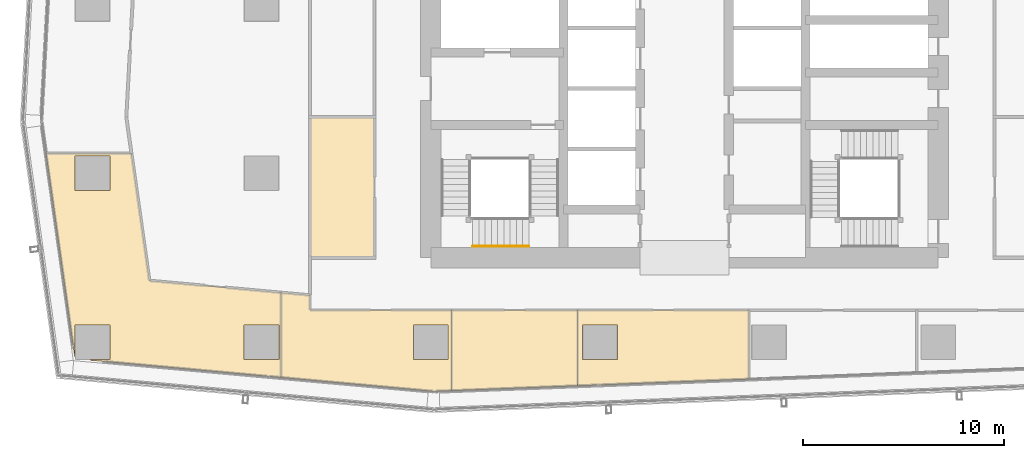
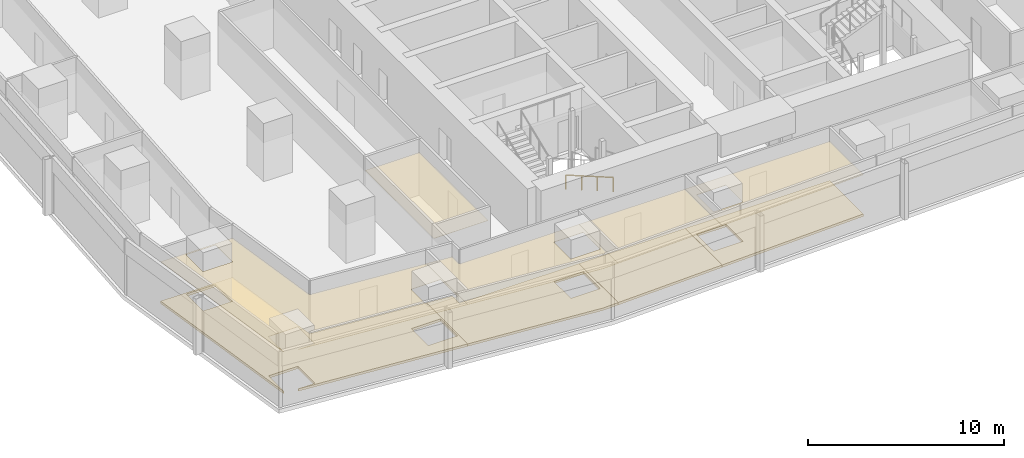
# One storey, part 33 of 40: 9 coverings, 1 railing.
"""IFC4 building model written with IfcOpenShell, lengths in metres."""

import ifcopenshell
import ifcopenshell.guid

model = None  # the IFC model being written
_history = None  # IfcOwnerHistory: only IFC2X3 demands one
_inside = {}  # id of a spatial element -> (the spatial element, [elements in it])
_under = {}  # id of a project, library or spatial element -> (it, [spatial elements below it])
_declared = {}  # id of a project -> (the project, [libraries it declares])
_typed = {}  # id of a type object -> (the type object, [elements of that type])
_made_of = {}  # id of a material, layer set ... -> (it, [elements and type objects made of it])


def new_model(schema):
    """Start an empty IFC model of exactly this schema.

    Asked for "IFC4X3", IfcOpenShell would pick the latest addendum, in which some entities
    have other attributes; the version numbers below select the first issue.
    IFC2X3 requires an IfcOwnerHistory on every rooted entity: one is made here for all.
    """
    global model, _history
    if schema == "IFC4X3":
        model = ifcopenshell.file(schema_version=(4, 3, 0, 0))
    else:
        model = ifcopenshell.file(schema=schema)
    _inside.clear()
    _under.clear()
    _declared.clear()
    _typed.clear()
    _made_of.clear()
    _history = None
    if model.schema == "IFC2X3":
        org = make("IfcOrganization", Name="unknown")
        user = make(
            "IfcPersonAndOrganization",
            ThePerson=make("IfcPerson", FamilyName="unknown"),
            TheOrganization=org,
        )
        app = make(
            "IfcApplication",
            ApplicationDeveloper=org,
            Version="unknown",
            ApplicationFullName="unknown",
            ApplicationIdentifier="unknown",
        )
        _history = make(
            "IfcOwnerHistory",
            OwningUser=user,
            OwningApplication=app,
            ChangeAction="ADDED",
            CreationDate=0,
        )
    return model


def make(cls, **values):
    """One entity of the class cls with the attributes given. An attribute that is None is left unset."""
    return model.create_entity(
        cls, **{name: value for name, value in values.items() if value is not None}
    )


def rooted(cls, **values):
    """An entity with a GlobalId (a new one), such as an element, a storey or a relation."""
    return make(cls, GlobalId=ifcopenshell.guid.new(), OwnerHistory=_history, **values)


def si_unit(unit_type, name, prefix=None):
    """IfcSIUnit, for example si_unit("LENGTHUNIT", "METRE", prefix="MILLI")."""
    return make("IfcSIUnit", UnitType=unit_type, Prefix=prefix, Name=name)


def assignment(units):
    """IfcUnitAssignment: the units of a project."""
    return None if units is None else make("IfcUnitAssignment", Units=units)


def point(xyz):
    """IfcCartesianPoint."""
    return None if xyz is None else make("IfcCartesianPoint", Coordinates=xyz)


def direction(xyz):
    """IfcDirection."""
    return None if xyz is None else make("IfcDirection", DirectionRatios=xyz)


def frame(location, z_axis=None, x_axis=None):
    """IfcAxis2Placement3D, a coordinate frame: its origin and axes. An axis left out is left unset."""
    return make(
        "IfcAxis2Placement3D",
        Location=point(location),
        Axis=direction(z_axis),
        RefDirection=direction(x_axis),
    )


def frame_2d(location, x_axis=None):
    """IfcAxis2Placement2D, a coordinate frame in the plane: its origin and x axis."""
    return make(
        "IfcAxis2Placement2D", Location=point(location), RefDirection=direction(x_axis)
    )


def origin():
    """The frame at (0, 0, 0) with its axes left unset."""
    return frame((0.0, 0.0, 0.0))


def origin_2d():
    """The frame at (0, 0) in the plane with its x axis left unset."""
    return frame_2d((0.0, 0.0))


def place(relative_to, where):
    """IfcLocalPlacement: puts the frame where relative to a parent placement (None: the world)."""
    return make(
        "IfcLocalPlacement", PlacementRelTo=relative_to, RelativePlacement=where
    )


def context(
    kind, dimensions, precision=None, world=None, true_north=None, identifier=None
):
    """IfcGeometricRepresentationContext, for example the 3D "Model" context."""
    return make(
        "IfcGeometricRepresentationContext",
        ContextIdentifier=identifier,
        ContextType=kind,
        CoordinateSpaceDimension=dimensions,
        Precision=precision,
        WorldCoordinateSystem=world,
        TrueNorth=true_north,
    )


def subcontext(parent, identifier, kind, view, scale=None):
    """IfcGeometricRepresentationSubContext, for example "Body" below "Model"."""
    return make(
        "IfcGeometricRepresentationSubContext",
        ContextIdentifier=identifier,
        ContextType=kind,
        ParentContext=parent,
        TargetScale=scale,
        TargetView=view,
    )


def project(units=None, contexts=None):
    """IfcProject with its units and contexts."""
    return rooted(
        "IfcProject",
        Name="project",
        RepresentationContexts=contexts,
        UnitsInContext=assignment(units),
    )


def spatial(cls, under=None, at=None, **own):
    """A site, building, storey or space (cls), placed at a placement, below another one or the project."""
    s = rooted(cls, ObjectPlacement=at, **own)
    if under is not None:
        _under.setdefault(under.id(), (under, []))[1].append(s)
    return s


def polyline(points):
    """IfcPolyline through the points."""
    return make("IfcPolyline", Points=[point(p) for p in points])


def profile(cls, at=None, kind="AREA", **sizes):
    """A parametric profile (cls). Its sizes go by their IFC names, for example OverallWidth=200.0."""
    return make(cls, ProfileType=kind, Position=at, **sizes)


def circle(**sizes):
    """IfcCircleProfileDef."""
    return profile("IfcCircleProfileDef", **sizes)


def outline(outer, holes=None, kind="AREA"):
    """IfcArbitraryClosedProfileDef: a profile drawn as a closed curve; with holes, ...WithVoids."""
    if holes is None:
        return make("IfcArbitraryClosedProfileDef", ProfileType=kind, OuterCurve=outer)
    return make(
        "IfcArbitraryProfileDefWithVoids",
        ProfileType=kind,
        OuterCurve=outer,
        InnerCurves=holes,
    )


def extrude(swept, where, along, depth):
    """IfcExtrudedAreaSolid: the profile swept, set in the frame where, extruded along a direction by depth."""
    return make(
        "IfcExtrudedAreaSolid",
        SweptArea=swept,
        Position=where,
        ExtrudedDirection=direction(along),
        Depth=depth,
    )


def shape(context_of_items, identifier, shape_type, items):
    """IfcShapeRepresentation: the items that make up one representation, for example the "Body"."""
    return make(
        "IfcShapeRepresentation",
        ContextOfItems=context_of_items,
        RepresentationIdentifier=identifier,
        RepresentationType=shape_type,
        Items=items,
    )


def material(Name=None, Category=None):
    """IfcMaterial."""
    return make("IfcMaterial", Name=Name, Category=Category)


def layer(
    of_material, thickness, ventilated=None, Name=None, Category=None, Priority=None
):
    """IfcMaterialLayer: one layer of a wall or slab, of a material (None: an air gap)."""
    return make(
        "IfcMaterialLayer",
        Material=of_material,
        LayerThickness=thickness,
        IsVentilated=ventilated,
        Name=Name,
        Category=Category,
        Priority=Priority,
    )


def layer_set(layers, Name=None):
    """IfcMaterialLayerSet."""
    return make("IfcMaterialLayerSet", MaterialLayers=layers, LayerSetName=Name)


def made_of(thing, what):
    """Note that an element or type object is made of a material, layer set ...; save() writes the relation."""
    if what is not None:
        _made_of.setdefault(what.id(), (what, []))[1].append(thing)
    return thing


def type_object(cls, material=None, **own):
    """A type object (cls), such as IfcWallType, which elements share."""
    return made_of(rooted(cls, **own), material)


def element(
    cls,
    number,
    at=None,
    inside=None,
    cuts=None,
    type_object=None,
    material=None,
    context=None,
    identifier="Body",
    shape_type=None,
    held_by="IfcProductDefinitionShape",
    body=None,
    shapes=None,
    **own,
):
    """One element of the class cls, such as IfcWall. Its Tag is "e" and its number.

    at: its placement. inside: the storey or other place that contains it. cuts: it is an
    opening in that element (IfcRelVoidsElement). A single representation is given by context,
    identifier, shape_type and body (its items); several are given by shapes. held_by: the class
    of the entity that holds the representations. save() writes the other relations.
    """
    e = rooted(cls, Tag="e%d" % number, ObjectPlacement=at, **own)
    if body is not None:
        shapes = [shape(context, identifier, shape_type, body)]
    if shapes is not None:
        e.Representation = make(held_by, Representations=shapes)
    if inside is not None:
        _inside.setdefault(inside.id(), (inside, []))[1].append(e)
    if cuts is not None:
        rooted(
            "IfcRelVoidsElement", RelatingBuildingElement=cuts, RelatedOpeningElement=e
        )
    if type_object is not None:
        _typed.setdefault(type_object.id(), (type_object, []))[1].append(e)
    return made_of(e, material)


def aggregate(whole, parts):
    """IfcRelAggregates: a whole, such as a stair, and the parts it consists of."""
    return rooted("IfcRelAggregates", RelatingObject=whole, RelatedObjects=parts)


def save(model, path):
    """Write the relations noted so far, then the file.

    IfcRelAggregates (storeys below a building ...), IfcRelContainedInSpatialStructure (elements
    in a storey), IfcRelDefinesByType, IfcRelAssociatesMaterial and IfcRelDeclares: one each for
    every whole, place, type object, material and project.
    """
    for whole, parts in _under.values():
        aggregate(whole, parts)
    for where, things in _inside.values():
        rooted(
            "IfcRelContainedInSpatialStructure",
            RelatedElements=things,
            RelatingStructure=where,
        )
    for kind, things in _typed.values():
        rooted("IfcRelDefinesByType", RelatedObjects=things, RelatingType=kind)
    for what, things in _made_of.values():
        rooted("IfcRelAssociatesMaterial", RelatedObjects=things, RelatingMaterial=what)
    for by, libraries in _declared.values():
        rooted("IfcRelDeclares", RelatingContext=by, RelatedDefinitions=libraries)
    model.write(path)


model = new_model("IFC4")

# Units and contexts
model_context = context("Model", 3, precision=1e-05, world=origin(), true_north=direction((0.0, 1.0)))
body_context = subcontext(model_context, "Body", "Model", "MODEL_VIEW")
ifc_project = project(units=[si_unit("LENGTHUNIT", "METRE"), si_unit("AREAUNIT", "SQUARE_METRE"), si_unit("VOLUMEUNIT", "CUBIC_METRE"), si_unit("PLANEANGLEUNIT", "RADIAN"), si_unit("MASSUNIT", "GRAM", prefix="KILO")], contexts=[model_context])

# Site, building, storey
site_placement = place(None, origin())
site = spatial("IfcSite", under=ifc_project, at=site_placement, CompositionType="ELEMENT")
building_placement = place(site_placement, origin())
building = spatial("IfcBuilding", under=site, at=building_placement, Name="Rekha Terrace Tower", CompositionType="ELEMENT")
storey_placement = place(building_placement, frame((0.0, 0.0, 121.550048828125)))
storey = spatial("IfcBuildingStorey", under=building, at=storey_placement, Name="L30", CompositionType="ELEMENT", Elevation=121.550048828125)

# Coverings
ifc_material_1 = material(Name="Mineral fibre tile in exposed grid", Category="finish")
ifc_layer_1 = layer(ifc_material_1, 0.02001953125)
ifc_layer_set_1 = layer_set([ifc_layer_1], Name="Mineral fibre tile in exposed grid")
covering_type_1 = type_object("IfcCoveringType", Name="CL1 600x1200 office grid ceiling", PredefinedType="CEILING", material=ifc_layer_set_1)
covering_1_placement = place(storey_placement, frame((0.0, 0.0, 2.579833984375)))
element("IfcCovering", 1, at=covering_1_placement, inside=storey, type_object=covering_type_1, Name="Ceiling L30-21", PredefinedType="CEILING", context=body_context, shape_type="SweptSolid", body=[
    extrude(outline(polyline([(7.514892578125, 16.096923828125), (7.534912109375, 16.097900390625), (7.534912109375, 17.6650390625), (9.264892578125, 17.6650390625), (9.264892578125, 15.93505859375), (8.283935546875, 15.93505859375), (8.282958984375, 15.912109375), (17.751953125, 15.052001953125), (17.751953125, 19.26904296875), (11.22607421875, 19.862060546875), (10.3359375, 26.176025390625), (6.094970703125, 26.176025390625), (7.514892578125, 16.096923828125)]), holes=[polyline([(17.6650390625, 15.93505859375), (15.93505859375, 15.93505859375), (15.93505859375, 17.6650390625), (17.6650390625, 17.6650390625), (17.6650390625, 15.93505859375)]), polyline([(9.264892578125, 24.3349609375), (7.534912109375, 24.3349609375), (7.534912109375, 26.06494140625), (9.264892578125, 26.06494140625), (9.264892578125, 24.3349609375)])]), origin(), (0.0, 0.0, 1.0), 0.02001953125),
])
covering_2_placement = place(storey_placement, frame((0.0, 0.0, 2.579833984375)))
element("IfcCovering", 2, at=covering_2_placement, inside=storey, type_object=covering_type_1, Name="Ceiling L30-22", PredefinedType="CEILING", context=body_context, shape_type="SweptSolid", body=[
    extrude(outline(polyline([(19.199951171875, 18.39990234375), (19.199951171875, 19.137939453125), (17.7529296875, 19.26904296875), (17.7529296875, 15.052001953125), (25.346923828125, 14.362060546875), (26.23388671875, 14.39697265625), (26.23388671875, 18.39990234375), (19.199951171875, 18.39990234375)]), holes=[polyline([(26.06494140625, 17.6650390625), (26.06494140625, 15.93505859375), (24.3349609375, 15.93505859375), (24.3349609375, 17.6650390625), (26.06494140625, 17.6650390625)])]), origin(), (0.0, 0.0, 1.0), 0.02001953125),
])
covering_3_placement = place(storey_placement, frame((0.0, 0.0, 2.579833984375)))
element("IfcCovering", 3, at=covering_3_placement, inside=storey, type_object=covering_type_1, Name="Ceiling L30-23", PredefinedType="CEILING", context=body_context, shape_type="SweptSolid", body=[
    extrude(outline(polyline([(26.235107421875, 18.39990234375), (26.235107421875, 14.39697265625), (32.493896484375, 14.639892578125), (32.493896484375, 18.39990234375), (26.235107421875, 18.39990234375)])), origin(), (0.0, 0.0, 1.0), 0.02001953125),
])
covering_4_placement = place(storey_placement, frame((0.0, 0.0, 2.579833984375)))
element("IfcCovering", 4, at=covering_4_placement, inside=storey, type_object=covering_type_1, Name="Ceiling L30-24", PredefinedType="CEILING", context=body_context, shape_type="SweptSolid", body=[
    extrude(outline(polyline([(32.4951171875, 18.39990234375), (32.4951171875, 14.639892578125), (41.0009765625, 14.970947265625), (41.0009765625, 18.39990234375), (32.4951171875, 18.39990234375)]), holes=[polyline([(34.465087890625, 15.93505859375), (32.735107421875, 15.93505859375), (32.735107421875, 17.6650390625), (34.465087890625, 17.6650390625), (34.465087890625, 15.93505859375)])]), origin(), (0.0, 0.0, 1.0), 0.02001953125),
])
ifc_material_2 = material(Name="Fibre cement board", Category="finish")
ifc_layer_2 = layer(ifc_material_2, 0.014892578125)
ifc_layer_set_2 = layer_set([ifc_layer_2], Name="Fibre cement board")
covering_type_2 = type_object("IfcCoveringType", Name="CL2 moisture-resistant board ceiling", PredefinedType="CEILING", material=ifc_layer_set_2)
covering_5_placement = place(storey_placement, frame((0.0, 0.0, 2.5849609375)))
element("IfcCovering", 5, at=covering_5_placement, inside=storey, type_object=covering_type_2, Name="Ceiling L30-WCM", PredefinedType="CEILING", context=body_context, shape_type="SweptSolid", body=[
    extrude(outline(polyline([(22.39990234375, 28.0), (19.199951171875, 28.0), (19.199951171875, 21.0), (22.39990234375, 21.0), (22.39990234375, 28.0)])), origin(), (0.0, 0.0, 1.0), 0.014892578125),
])

# Railing
ifc_material_3 = material(Name="Stainless steel tube", Category="steel")
railing_type = type_object("IfcRailingType", Name="HR1 900 stair handrail", PredefinedType="HANDRAIL", material=ifc_material_3)
railing_placement = place(storey_placement, frame((30.074951171875, 21.56005859375, 1.375)))
element("IfcRailing", 6, at=railing_placement, inside=storey, type_object=railing_type, Name="Handrail ST1 L30 flight 2", PredefinedType="HANDRAIL", context=body_context, shape_type="SweptSolid", body=[
    extrude(circle(Radius=0.02392578125, at=origin_2d()), frame((0.0, 0.0, 0.8759765625), z_axis=(-0.927443287984, 0.0, 0.373963831907), x_axis=(0.0, -1.0, 0.0)), (0.0, 0.0, 1.0), 3.00830078125),
    extrude(circle(Radius=0.02099609375, at=origin_2d()), origin(), (0.0, 0.0, 1.0), 0.851806640625),
    extrude(circle(Radius=0.02099609375, at=origin_2d()), frame((-0.929931640625, 0.0, 0.375)), (0.0, 0.0, 1.0), 0.851806640625),
    extrude(circle(Radius=0.02099609375, at=origin_2d()), frame((-1.860107421875, 0.0, 0.75)), (0.0, 0.0, 1.0), 0.851806640625),
    extrude(circle(Radius=0.02099609375, at=origin_2d()), frame((-2.7900390625, 0.0, 1.125)), (0.0, 0.0, 1.0), 0.851806640625),
])

# Coverings
ifc_material_4 = material(Name="Calcium sulphate panels on steel pedestals", Category="steel")
ifc_layer_3 = layer(ifc_material_4, 0.14990234375)
ifc_layer_set_3 = layer_set([ifc_layer_3], Name="Calcium sulphate panels on steel pedestals")
covering_type_3 = type_object("IfcCoveringType", Name="RF1 150 raised access floor", PredefinedType="FLOORING", material=ifc_layer_set_3)
covering_6_placement = place(storey_placement, origin())
element("IfcCovering", 7, at=covering_6_placement, inside=storey, type_object=covering_type_3, Name="Raised floor L30-21", PredefinedType="FLOORING", context=body_context, shape_type="SweptSolid", body=[
    extrude(outline(polyline([(7.514892578125, 16.096923828125), (7.534912109375, 16.097900390625), (7.534912109375, 17.6650390625), (9.264892578125, 17.6650390625), (9.264892578125, 15.93505859375), (8.283935546875, 15.93505859375), (8.282958984375, 15.912109375), (17.751953125, 15.052001953125), (17.751953125, 19.26904296875), (11.22607421875, 19.862060546875), (10.3359375, 26.176025390625), (6.094970703125, 26.176025390625), (7.514892578125, 16.096923828125)]), holes=[polyline([(17.6650390625, 15.93505859375), (15.93505859375, 15.93505859375), (15.93505859375, 17.6650390625), (17.6650390625, 17.6650390625), (17.6650390625, 15.93505859375)]), polyline([(9.264892578125, 24.3349609375), (7.534912109375, 24.3349609375), (7.534912109375, 26.06494140625), (9.264892578125, 26.06494140625), (9.264892578125, 24.3349609375)])]), origin(), (0.0, 0.0, 1.0), 0.14990234375),
])
covering_7_placement = place(storey_placement, origin())
element("IfcCovering", 8, at=covering_7_placement, inside=storey, type_object=covering_type_3, Name="Raised floor L30-22", PredefinedType="FLOORING", context=body_context, shape_type="SweptSolid", body=[
    extrude(outline(polyline([(19.199951171875, 18.39990234375), (19.199951171875, 19.137939453125), (17.7529296875, 19.26904296875), (17.7529296875, 15.052001953125), (25.346923828125, 14.362060546875), (26.23388671875, 14.39697265625), (26.23388671875, 18.39990234375), (19.199951171875, 18.39990234375)]), holes=[polyline([(26.06494140625, 17.6650390625), (26.06494140625, 15.93505859375), (24.3349609375, 15.93505859375), (24.3349609375, 17.6650390625), (26.06494140625, 17.6650390625)])]), origin(), (0.0, 0.0, 1.0), 0.14990234375),
])
covering_8_placement = place(storey_placement, origin())
element("IfcCovering", 9, at=covering_8_placement, inside=storey, type_object=covering_type_3, Name="Raised floor L30-23", PredefinedType="FLOORING", context=body_context, shape_type="SweptSolid", body=[
    extrude(outline(polyline([(26.235107421875, 18.39990234375), (26.235107421875, 14.39697265625), (32.493896484375, 14.639892578125), (32.493896484375, 18.39990234375), (26.235107421875, 18.39990234375)])), origin(), (0.0, 0.0, 1.0), 0.14990234375),
])
covering_9_placement = place(storey_placement, origin())
element("IfcCovering", 10, at=covering_9_placement, inside=storey, type_object=covering_type_3, Name="Raised floor L30-24", PredefinedType="FLOORING", context=body_context, shape_type="SweptSolid", body=[
    extrude(outline(polyline([(32.4951171875, 18.39990234375), (32.4951171875, 14.639892578125), (41.0009765625, 14.970947265625), (41.0009765625, 18.39990234375), (32.4951171875, 18.39990234375)]), holes=[polyline([(34.465087890625, 15.93505859375), (32.735107421875, 15.93505859375), (32.735107421875, 17.6650390625), (34.465087890625, 17.6650390625), (34.465087890625, 15.93505859375)])]), origin(), (0.0, 0.0, 1.0), 0.14990234375),
])

save(model, "model.ifc")
